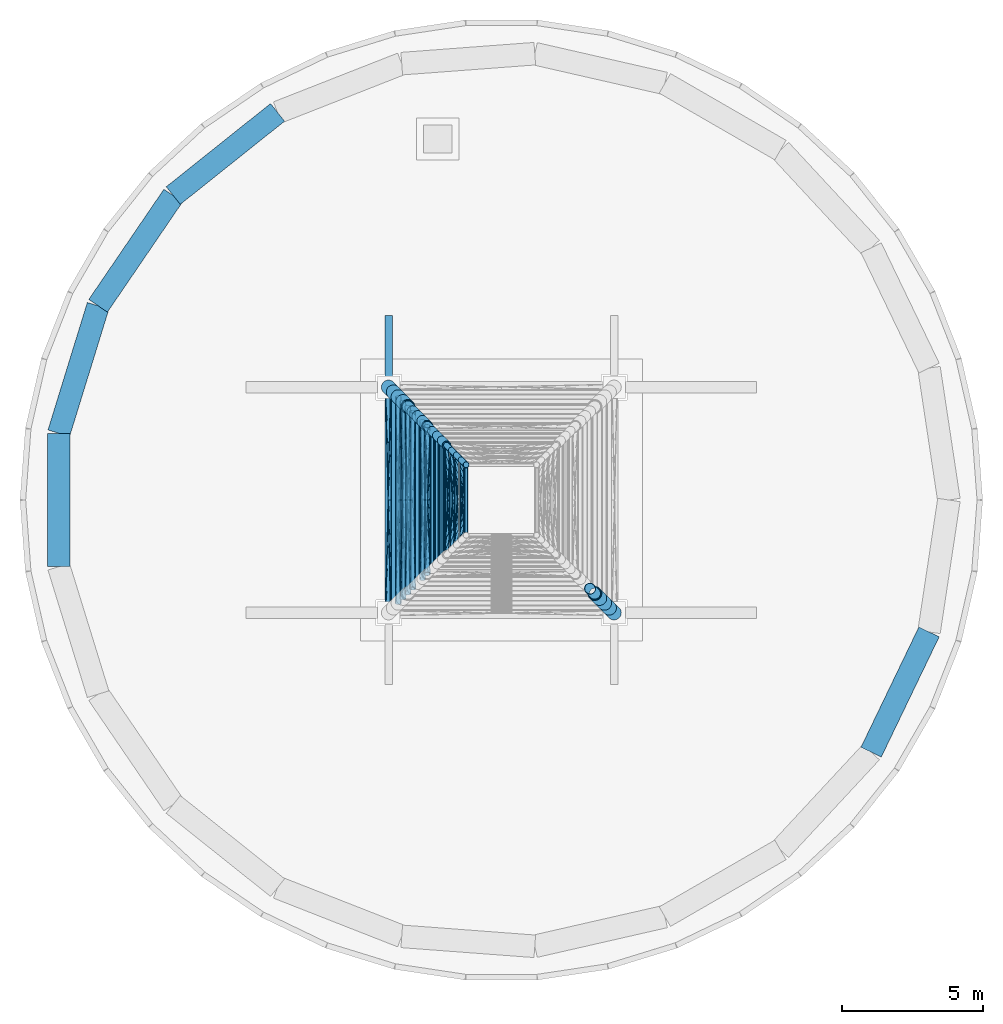
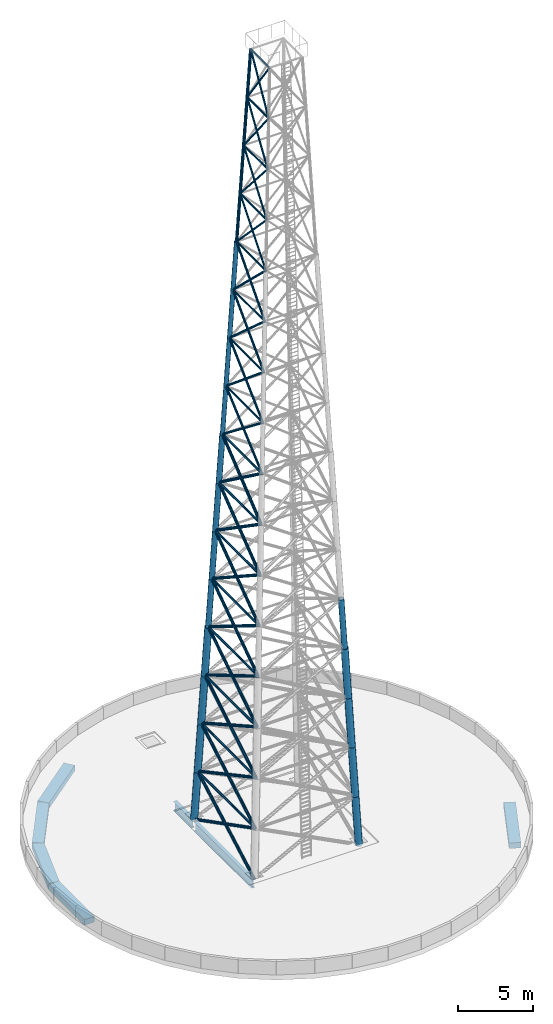
# One storey, part 4 of 9: 69 members, 7 beams.
"""IFC4 building model written with IfcOpenShell, lengths in metres."""

from ifc_helpers import new_model, si_unit, direction, frame, origin, origin_2d, place, context, subcontext, project, spatial, rectangle, hollow_circle, i_section, extrude, material, material_profile, profile_set, type_object, element, save


model = new_model("IFC4")

# Units and contexts
model_context = context("Model", 3, precision=1e-05, world=origin(), true_north=direction((0.0, 1.0)))
body_context = subcontext(model_context, "Body", "Model", "MODEL_VIEW")
ifc_project = project(units=[si_unit("LENGTHUNIT", "METRE"), si_unit("AREAUNIT", "SQUARE_METRE"), si_unit("VOLUMEUNIT", "CUBIC_METRE"), si_unit("PLANEANGLEUNIT", "RADIAN"), si_unit("MASSUNIT", "GRAM", prefix="KILO")], contexts=[model_context])

# Site, building, storey
site_placement = place(None, origin())
site = spatial("IfcSite", under=ifc_project, at=site_placement, CompositionType="ELEMENT")
building_placement = place(site_placement, origin())
building = spatial("IfcBuilding", under=site, at=building_placement, Name="Tracery Tower", CompositionType="ELEMENT")
storey_placement = place(building_placement, frame((0.0, 0.0, 364.199951171875)))
storey = spatial("IfcBuildingStorey", under=building, at=storey_placement, Name="Roof", CompositionType="ELEMENT", Elevation=364.199951171875)

# Members
ifc_material_1 = material(Name="Steel S355", Category="steel")
ifc_material_profile_1 = material_profile(ifc_material_1, hollow_circle(Radius=0.06982421875, WallThickness=0.00634765625, at=origin_2d()), Name="CHS 139.7x6.3")
ifc_profile_set_1 = profile_set([ifc_material_profile_1], Name="Steel S355")
member_type_1 = type_object("IfcMemberType", Name="Mast diagonal MAST CHS 139.7x6.3", PredefinedType="BRACE", material=ifc_profile_set_1)
for number, where, z_axis, x_axis, name in (
    (1, (-1.9375, 1.9375, 46.990234375), (0.031750234141, -0.684073226485, 0.728721993245), (0.998924630531, 0.046363590447, 0.0), "Mast west face diagonal 13a"),
    (2, (-1.9375, -1.9375, 46.990234375), (0.031750234141, 0.684073226485, 0.728721993245), (-0.998924630531, 0.046363590447, 0.0), "Mast west face diagonal 13b"),
):
    element("IfcMember", number, at=place(storey_placement, frame(where, z_axis=z_axis, x_axis=x_axis)), inside=storey, type_object=member_type_1, Name=name, PredefinedType="BRACE", context=body_context, shape_type="SweptSolid", body=[
        extrude(hollow_circle(Radius=0.06982421875, WallThickness=0.00634765625, at=origin_2d()), origin(), (0.0, 0.0, 1.0), 5.413330078125),
    ])
for number, where, z_axis, x_axis, name in (
    (3, (-1.765625, 1.765625, 50.93505859375), (0.033152031801, -0.647971530659, 0.760942729936), (0.998693748329, 0.051095959217, 0.0), "Mast west face diagonal 14a"),
    (4, (-1.765625, -1.765625, 50.93505859375), (0.033152031801, 0.647971530659, 0.760942729936), (-0.998693748329, 0.051095959217, 0.0), "Mast west face diagonal 14b"),
):
    element("IfcMember", number, at=place(storey_placement, frame(where, z_axis=z_axis, x_axis=x_axis)), inside=storey, type_object=member_type_1, Name=name, PredefinedType="BRACE", context=body_context, shape_type="SweptSolid", body=[
        extrude(hollow_circle(Radius=0.06982421875, WallThickness=0.00634765625, at=origin_2d()), origin(), (0.0, 0.0, 1.0), 5.1845703125),
    ])
for number, where, z_axis, x_axis, name in (
    (5, (-1.59375, 1.59375, 54.880126953125), (0.034592159703, -0.606935165704, 0.79399816569), (0.998379741703, 0.056902472325, 0.0), "Mast west face diagonal 15a"),
    (6, (-1.59375, -1.59375, 54.880126953125), (0.034592159703, 0.606935165704, 0.79399816569), (-0.998379741703, 0.056902472325, 0.0), "Mast west face diagonal 15b"),
):
    element("IfcMember", number, at=place(storey_placement, frame(where, z_axis=z_axis, x_axis=x_axis)), inside=storey, type_object=member_type_1, Name=name, PredefinedType="BRACE", context=body_context, shape_type="SweptSolid", body=[
        extrude(hollow_circle(Radius=0.06982421875, WallThickness=0.00634765625, at=origin_2d()), origin(), (0.0, 0.0, 1.0), 4.968505859375),
    ])
for number, where, z_axis, x_axis, name in (
    (7, (-1.421875, 1.421875, 58.8251953125), (0.036049038288, -0.560398686106, 0.827438081943), (0.99793738647, 0.064194802638, 0.0), "Mast west face diagonal 16a"),
    (8, (-1.421875, -1.421875, 58.8251953125), (0.036049038288, 0.560398686106, 0.827438081943), (-0.99793738647, 0.064194802638, 0.0), "Mast west face diagonal 16b"),
):
    element("IfcMember", number, at=place(storey_placement, frame(where, z_axis=z_axis, x_axis=x_axis)), inside=storey, type_object=member_type_1, Name=name, PredefinedType="BRACE", context=body_context, shape_type="SweptSolid", body=[
        extrude(hollow_circle(Radius=0.06982421875, WallThickness=0.00634765625, at=origin_2d()), origin(), (0.0, 0.0, 1.0), 4.767822265625),
    ])
ifc_material_2 = material(Name="Steel S355", Category="steel")
ifc_material_profile_2 = material_profile(ifc_material_2, hollow_circle(Radius=0.084228515625, WallThickness=0.008056640625, at=origin_2d()), Name="CHS 168.3x8")
ifc_profile_set_2 = profile_set([ifc_material_profile_2], Name="Steel S355")
member_type_2 = type_object("IfcMemberType", Name="Mast diagonal MAST CHS 168.3x8", PredefinedType="BRACE", material=ifc_profile_set_2)
for number, where, z_axis, x_axis, name in (
    (9, (-2.625, 2.625, 31.210205078125), (0.026719305666, -0.789434031046, 0.61325360931), (0.999427710583, 0.03382678405, 0.0), "Mast west face diagonal 9a"),
    (10, (-2.625, -2.625, 31.210205078125), (0.026719305666, 0.789434031046, 0.61325360931), (-0.999427710583, 0.03382678405, 0.0), "Mast west face diagonal 9b"),
):
    element("IfcMember", number, at=place(storey_placement, frame(where, z_axis=z_axis, x_axis=x_axis)), inside=storey, type_object=member_type_2, Name=name, PredefinedType="BRACE", context=body_context, shape_type="SweptSolid", body=[
        extrude(hollow_circle(Radius=0.084228515625, WallThickness=0.008056640625, at=origin_2d()), origin(), (0.0, 0.0, 1.0), 6.4326171875),
    ])
for number, where, z_axis, x_axis, name in (
    (11, (-2.453125, 2.453125, 35.155029296875), (0.027879087939, -0.767942149583, 0.639912190342), (0.999341673872, 0.036279730735, 0.0), "Mast west face diagonal 10a"),
    (12, (-2.453125, -2.453125, 35.155029296875), (0.027879087939, 0.767942149583, 0.639912190342), (-0.999341673872, 0.036279730735, 0.0), "Mast west face diagonal 10b"),
):
    element("IfcMember", number, at=place(storey_placement, frame(where, z_axis=z_axis, x_axis=x_axis)), inside=storey, type_object=member_type_2, Name=name, PredefinedType="BRACE", context=body_context, shape_type="SweptSolid", body=[
        extrude(hollow_circle(Radius=0.084228515625, WallThickness=0.008056640625, at=origin_2d()), origin(), (0.0, 0.0, 1.0), 6.1650390625),
    ])
for number, where, z_axis, x_axis, name in (
    (13, (-2.28125, 2.28125, 39.10009765625), (0.029105992984, -0.743525820778, 0.668073495215), (0.999234678437, 0.039115948266, 0.0), "Mast west face diagonal 11a"),
    (14, (-2.28125, -2.28125, 39.10009765625), (0.029105992984, 0.743525820778, 0.668073495215), (-0.999234678437, 0.039115948266, 0.0), "Mast west face diagonal 11b"),
):
    element("IfcMember", number, at=place(storey_placement, frame(where, z_axis=z_axis, x_axis=x_axis)), inside=storey, type_object=member_type_2, Name=name, PredefinedType="BRACE", context=body_context, shape_type="SweptSolid", body=[
        extrude(hollow_circle(Radius=0.084228515625, WallThickness=0.008056640625, at=origin_2d()), origin(), (0.0, 0.0, 1.0), 5.905029296875),
    ])
for number, where, z_axis, x_axis, name in (
    (15, (-2.109375, 2.109375, 43.045166015625), (0.030397602911, -0.715725377637, 0.697719979321), (0.999099323566, 0.042432789804, 0.0), "Mast west face diagonal 12a"),
    (16, (-2.109375, -2.109375, 43.045166015625), (0.030397602911, 0.715725377637, 0.697719979321), (-0.999099323566, 0.042432789804, 0.0), "Mast west face diagonal 12b"),
):
    element("IfcMember", number, at=place(storey_placement, frame(where, z_axis=z_axis, x_axis=x_axis)), inside=storey, type_object=member_type_2, Name=name, PredefinedType="BRACE", context=body_context, shape_type="SweptSolid", body=[
        extrude(hollow_circle(Radius=0.084228515625, WallThickness=0.008056640625, at=origin_2d()), origin(), (0.0, 0.0, 1.0), 5.654296875),
    ])
ifc_material_3 = material(Name="Steel S355", Category="steel")
ifc_material_profile_3 = material_profile(ifc_material_3, hollow_circle(Radius=0.109619140625, WallThickness=0.010009765625, at=origin_2d()), Name="CHS 219.1x10")
ifc_profile_set_3 = profile_set([ifc_material_profile_3], Name="Steel S355")
member_type_3 = type_object("IfcMemberType", Name="Mast diagonal MAST CHS 219.1x10", PredefinedType="BRACE", material=ifc_profile_set_3)
for number, where, z_axis, x_axis, name in (
    (17, (-4.0, 4.0, -0.349853515625), (0.019603437678, -0.892847479676, 0.44993230965), (0.999759052215, 0.021950797554, 0.0), "Mast west face diagonal 1a"),
    (18, (-4.0, -4.0, -0.349853515625), (0.019603437678, 0.892847479676, 0.44993230965), (-0.999759052215, 0.021950797554, 0.0), "Mast west face diagonal 1b"),
):
    element("IfcMember", number, at=place(storey_placement, frame(where, z_axis=z_axis, x_axis=x_axis)), inside=storey, type_object=member_type_3, Name=name, PredefinedType="BRACE", context=body_context, shape_type="SweptSolid", body=[
        extrude(hollow_circle(Radius=0.109619140625, WallThickness=0.010009765625, at=origin_2d()), origin(), (0.0, 0.0, 1.0), 8.767578125),
    ])
for number, where, z_axis, x_axis, name in (
    (19, (-3.828125, 3.828125, 3.594970703125), (0.020310891396, -0.884446998079, 0.466198429083), (0.999736419902, 0.022958456407, 0.0), "Mast west face diagonal 2a"),
    (20, (-3.828125, -3.828125, 3.594970703125), (0.020310891396, 0.884446998079, 0.466198429083), (-0.999736419902, 0.022958456407, 0.0), "Mast west face diagonal 2b"),
):
    element("IfcMember", number, at=place(storey_placement, frame(where, z_axis=z_axis, x_axis=x_axis)), inside=storey, type_object=member_type_3, Name=name, PredefinedType="BRACE", context=body_context, shape_type="SweptSolid", body=[
        extrude(hollow_circle(Radius=0.109619140625, WallThickness=0.010009765625, at=origin_2d()), origin(), (0.0, 0.0, 1.0), 8.462158203125),
    ])
for number, where, z_axis, x_axis, name in (
    (21, (-3.65625, 3.65625, 7.5400390625), (0.02106374057, -0.875102676395, 0.483478670263), (0.999710442837, 0.024063052235, 0.0), "Mast west face diagonal 3a"),
    (22, (-3.65625, -3.65625, 7.5400390625), (0.02106374057, 0.875102676395, 0.483478670263), (-0.999710442837, 0.024063052235, 0.0), "Mast west face diagonal 3b"),
):
    element("IfcMember", number, at=place(storey_placement, frame(where, z_axis=z_axis, x_axis=x_axis)), inside=storey, type_object=member_type_3, Name=name, PredefinedType="BRACE", context=body_context, shape_type="SweptSolid", body=[
        extrude(hollow_circle(Radius=0.109619140625, WallThickness=0.010009765625, at=origin_2d()), origin(), (0.0, 0.0, 1.0), 8.15966796875),
    ])
for number, where, z_axis, x_axis, name in (
    (23, (-3.484375, 3.484375, 11.485107421875), (0.021865440004, -0.864678763798, 0.50184911873), (0.99968042806, 0.025279275192, 0.0), "Mast west face diagonal 4a"),
    (24, (-3.484375, -3.484375, 11.485107421875), (0.021865440004, 0.864678763798, 0.50184911873), (-0.99968042806, 0.025279275192, 0.0), "Mast west face diagonal 4b"),
):
    element("IfcMember", number, at=place(storey_placement, frame(where, z_axis=z_axis, x_axis=x_axis)), inside=storey, type_object=member_type_3, Name=name, PredefinedType="BRACE", context=body_context, shape_type="SweptSolid", body=[
        extrude(hollow_circle(Radius=0.109619140625, WallThickness=0.010009765625, at=origin_2d()), origin(), (0.0, 0.0, 1.0), 7.860595703125),
    ])
for number, where, z_axis, x_axis, name in (
    (25, (-3.3125, 3.3125, 15.429931640625), (0.022718431719, -0.85297384544, 0.521459003044), (0.999645493434, 0.026624940503, 0.0), "Mast west face diagonal 5a"),
    (26, (-3.3125, -3.3125, 15.429931640625), (0.022718431719, 0.85297384544, 0.521459003044), (-0.999645493434, 0.026624940503, 0.0), "Mast west face diagonal 5b"),
):
    element("IfcMember", number, at=place(storey_placement, frame(where, z_axis=z_axis, x_axis=x_axis)), inside=storey, type_object=member_type_3, Name=name, PredefinedType="BRACE", context=body_context, shape_type="SweptSolid", body=[
        extrude(hollow_circle(Radius=0.109619140625, WallThickness=0.010009765625, at=origin_2d()), origin(), (0.0, 0.0, 1.0), 7.5654296875),
    ])
for number, where, z_axis, x_axis, name in (
    (27, (-3.140625, 3.140625, 19.375), (0.023627227978, -0.839840558134, 0.542318717187), (0.999604502123, 0.028121865789, 0.0), "Mast west face diagonal 6a"),
    (28, (-3.140625, -3.140625, 19.375), (0.023627227978, 0.839840558134, 0.542318717187), (-0.999604502123, 0.028121865789, 0.0), "Mast west face diagonal 6b"),
):
    element("IfcMember", number, at=place(storey_placement, frame(where, z_axis=z_axis, x_axis=x_axis)), inside=storey, type_object=member_type_3, Name=name, PredefinedType="BRACE", context=body_context, shape_type="SweptSolid", body=[
        extrude(hollow_circle(Radius=0.109619140625, WallThickness=0.010009765625, at=origin_2d()), origin(), (0.0, 0.0, 1.0), 7.2744140625),
    ])
for number, where, z_axis, x_axis, name in (
    (29, (-2.96875, 2.96875, 23.320068359375), (0.024594881095, -0.825046465832, 0.56452938014), (0.999555968984, 0.029797061406, 0.0), "Mast west face diagonal 7a"),
    (30, (-2.96875, -2.96875, 23.320068359375), (0.024594881095, 0.825046465832, 0.56452938014), (-0.999555968984, 0.029797061406, 0.0), "Mast west face diagonal 7b"),
):
    element("IfcMember", number, at=place(storey_placement, frame(where, z_axis=z_axis, x_axis=x_axis)), inside=storey, type_object=member_type_3, Name=name, PredefinedType="BRACE", context=body_context, shape_type="SweptSolid", body=[
        extrude(hollow_circle(Radius=0.109619140625, WallThickness=0.010009765625, at=origin_2d()), origin(), (0.0, 0.0, 1.0), 6.98828125),
    ])
for number, where, z_axis, x_axis, name in (
    (31, (-2.796875, 2.796875, 27.26513671875), (0.025624506867, -0.808336716623, 0.588162509182), (0.999497924238, 0.031684372238, 0.0), "Mast west face diagonal 8a"),
    (32, (-2.796875, -2.796875, 27.26513671875), (0.025624506867, 0.808336716623, 0.588162509182), (-0.999497924238, 0.031684372238, 0.0), "Mast west face diagonal 8b"),
):
    element("IfcMember", number, at=place(storey_placement, frame(where, z_axis=z_axis, x_axis=x_axis)), inside=storey, type_object=member_type_3, Name=name, PredefinedType="BRACE", context=body_context, shape_type="SweptSolid", body=[
        extrude(hollow_circle(Radius=0.109619140625, WallThickness=0.010009765625, at=origin_2d()), origin(), (0.0, 0.0, 1.0), 6.70751953125),
    ])

# Beams
ifc_material_4 = material(Name="Steel S355", Category="steel")
ifc_material_profile_4 = material_profile(ifc_material_4, i_section(OverallWidth=0.26513671875, OverallDepth=0.75390625, WebThickness=0.0126953125, FlangeThickness=0.017578125, FilletRadius=0.0166015625, at=origin_2d()), Name="UKB 762x267x147")
ifc_profile_set_4 = profile_set([ifc_material_profile_4], Name="Steel S355")
beam_type_1 = type_object("IfcBeamType", Name="Mast grillage cross girder MAST UKB 762x267x147", PredefinedType="BEAM", material=ifc_profile_set_4)
beam_1_placement = place(storey_placement, frame((-4.0, -3.839599609375, -0.77685546875), z_axis=(0.0, 1.0, 0.0), x_axis=(-1.0, 0.0, 0.0)))
element("IfcBeam", 33, at=beam_1_placement, inside=storey, type_object=beam_type_1, Name="Mast grillage cross girder 1.2", PredefinedType="BEAM", context=body_context, shape_type="SweptSolid", body=[
    extrude(i_section(OverallWidth=0.26513671875, OverallDepth=0.75390625, WebThickness=0.0126953125, FlangeThickness=0.017578125, FilletRadius=0.0166015625, at=origin_2d()), origin(), (0.0, 0.0, 1.0), 7.67919921875),
])
beam_2_placement = place(storey_placement, frame((-4.0, 4.160400390625, -0.77685546875), z_axis=(0.0, 1.0, 0.0), x_axis=(-1.0, 0.0, 0.0)))
element("IfcBeam", 34, at=beam_2_placement, inside=storey, type_object=beam_type_1, Name="Mast grillage cross girder 1.3", PredefinedType="BEAM", context=body_context, shape_type="SweptSolid", body=[
    extrude(i_section(OverallWidth=0.26513671875, OverallDepth=0.75390625, WebThickness=0.0126953125, FlangeThickness=0.017578125, FilletRadius=0.0166015625, at=origin_2d()), origin(), (0.0, 0.0, 1.0), 2.3896484375),
])

# Members
ifc_material_5 = material(Name="Steel S355", Category="steel")
ifc_material_profile_5 = material_profile(ifc_material_5, hollow_circle(Radius=0.109619140625, WallThickness=0.010009765625, at=origin_2d()), Name="CHS 219.1x10")
ifc_profile_set_5 = profile_set([ifc_material_profile_5], Name="Steel S355")
member_type_4 = type_object("IfcMemberType", Name="Mast leg MAST CHS 219.1x10", PredefinedType="CHORD", material=ifc_profile_set_5)
member_1_placement = place(storey_placement, frame((-1.9375, 1.9375, 46.990234375), z_axis=(0.043487274046, -0.043487274046, 0.998107065395), x_axis=(0.707106781187, 0.707106781187, 0.0)))
element("IfcMember", 35, at=member_1_placement, inside=storey, type_object=member_type_4, Name="Mast leg 4 panel 13", PredefinedType="CHORD", context=body_context, shape_type="SweptSolid", body=[
    extrude(hollow_circle(Radius=0.109619140625, WallThickness=0.010009765625, at=origin_2d()), origin(), (0.0, 0.0, 1.0), 3.952392578125),
])
for number, where, z_axis, x_axis, name in (
    (36, (-1.765625, 1.765625, 50.93505859375), (0.043484593013, -0.043484593013, 0.998107299012), (0.707106781187, 0.707106781187, 0.0), "Mast leg 4 panel 14"),
    (37, (-1.59375, 1.59375, 54.880126953125), (0.043484593013, -0.043484593013, 0.998107299012), (0.707106781187, 0.707106781187, 0.0), "Mast leg 4 panel 15"),
    (38, (-1.421875, 1.421875, 58.8251953125), (0.043484593013, -0.043484593013, 0.998107299012), (0.707106781187, 0.707106781187, 0.0), "Mast leg 4 panel 16"),
):
    element("IfcMember", number, at=place(storey_placement, frame(where, z_axis=z_axis, x_axis=x_axis)), inside=storey, type_object=member_type_4, Name=name, PredefinedType="CHORD", context=body_context, shape_type="SweptSolid", body=[
        extrude(hollow_circle(Radius=0.109619140625, WallThickness=0.010009765625, at=origin_2d()), origin(), (0.0, 0.0, 1.0), 3.95263671875),
    ])
ifc_material_6 = material(Name="Steel S355", Category="steel")
ifc_material_profile_6 = material_profile(ifc_material_6, hollow_circle(Radius=0.161865234375, WallThickness=0.01611328125, at=origin_2d()), Name="CHS 323.9x16")
ifc_profile_set_6 = profile_set([ifc_material_profile_6], Name="Steel S355")
member_type_5 = type_object("IfcMemberType", Name="Mast leg MAST CHS 323.9x16", PredefinedType="CHORD", material=ifc_profile_set_6)
member_2_placement = place(storey_placement, frame((-2.625, 2.625, 31.210205078125), z_axis=(0.043487274046, -0.043487274046, 0.998107065395), x_axis=(0.707106781187, 0.707106781187, 0.0)))
element("IfcMember", 39, at=member_2_placement, inside=storey, type_object=member_type_5, Name="Mast leg 4 panel 9", PredefinedType="CHORD", context=body_context, shape_type="SweptSolid", body=[
    extrude(hollow_circle(Radius=0.161865234375, WallThickness=0.01611328125, at=origin_2d()), origin(), (0.0, 0.0, 1.0), 3.952392578125),
])
for number, where, z_axis, x_axis, name in (
    (40, (-2.453125, 2.453125, 35.155029296875), (0.043484593013, -0.043484593013, 0.998107299012), (0.707106781187, 0.707106781187, 0.0), "Mast leg 4 panel 10"),
    (41, (-2.28125, 2.28125, 39.10009765625), (0.043484593013, -0.043484593013, 0.998107299012), (0.707106781187, 0.707106781187, 0.0), "Mast leg 4 panel 11"),
    (42, (-2.109375, 2.109375, 43.045166015625), (0.043484593013, -0.043484593013, 0.998107299012), (0.707106781187, 0.707106781187, 0.0), "Mast leg 4 panel 12"),
):
    element("IfcMember", number, at=place(storey_placement, frame(where, z_axis=z_axis, x_axis=x_axis)), inside=storey, type_object=member_type_5, Name=name, PredefinedType="CHORD", context=body_context, shape_type="SweptSolid", body=[
        extrude(hollow_circle(Radius=0.161865234375, WallThickness=0.01611328125, at=origin_2d()), origin(), (0.0, 0.0, 1.0), 3.95263671875),
    ])
ifc_material_7 = material(Name="Steel S355", Category="steel")
ifc_material_profile_7 = material_profile(ifc_material_7, hollow_circle(Radius=0.203125, WallThickness=0.02001953125, at=origin_2d()), Name="CHS 406.4x20")
ifc_profile_set_7 = profile_set([ifc_material_profile_7], Name="Steel S355")
member_type_6 = type_object("IfcMemberType", Name="Mast leg MAST CHS 406.4x20", PredefinedType="CHORD", material=ifc_profile_set_7)
for number, where, z_axis, x_axis, name in (
    (43, (3.3125, -3.3125, 15.429931640625), (-0.043484593013, 0.043484593013, 0.998107299012), (-0.707106781187, -0.707106781187, 0.0), "Mast leg 2 panel 5"),
    (44, (-3.3125, 3.3125, 15.429931640625), (0.043484593013, -0.043484593013, 0.998107299012), (0.707106781187, 0.707106781187, 0.0), "Mast leg 4 panel 5"),
    (45, (-3.140625, 3.140625, 19.375), (0.043484593013, -0.043484593013, 0.998107299012), (0.707106781187, 0.707106781187, 0.0), "Mast leg 4 panel 6"),
    (46, (-2.96875, 2.96875, 23.320068359375), (0.043484593013, -0.043484593013, 0.998107299012), (0.707106781187, 0.707106781187, 0.0), "Mast leg 4 panel 7"),
    (47, (-2.796875, 2.796875, 27.26513671875), (0.043484593013, -0.043484593013, 0.998107299012), (0.707106781187, 0.707106781187, 0.0), "Mast leg 4 panel 8"),
):
    element("IfcMember", number, at=place(storey_placement, frame(where, z_axis=z_axis, x_axis=x_axis)), inside=storey, type_object=member_type_6, Name=name, PredefinedType="CHORD", context=body_context, shape_type="SweptSolid", body=[
        extrude(hollow_circle(Radius=0.203125, WallThickness=0.02001953125, at=origin_2d()), origin(), (0.0, 0.0, 1.0), 3.95263671875),
    ])
ifc_material_8 = material(Name="Steel S355", Category="steel")
ifc_material_profile_8 = material_profile(ifc_material_8, hollow_circle(Radius=0.25390625, WallThickness=0.02490234375, at=origin_2d()), Name="CHS 508x25")
ifc_profile_set_8 = profile_set([ifc_material_profile_8], Name="Steel S355")
member_type_7 = type_object("IfcMemberType", Name="Mast leg MAST CHS 508x25", PredefinedType="CHORD", material=ifc_profile_set_8)
for number, where, z_axis, x_axis, name in (
    (48, (4.0, -4.0, -0.349853515625), (-0.043487274046, 0.043487274046, 0.998107065395), (-0.707106781187, -0.707106781187, 0.0), "Mast leg 2 panel 1"),
    (49, (-4.0, 4.0, -0.349853515625), (0.043487274046, -0.043487274046, 0.998107065395), (0.707106781187, 0.707106781187, 0.0), "Mast leg 4 panel 1"),
):
    element("IfcMember", number, at=place(storey_placement, frame(where, z_axis=z_axis, x_axis=x_axis)), inside=storey, type_object=member_type_7, Name=name, PredefinedType="CHORD", context=body_context, shape_type="SweptSolid", body=[
        extrude(hollow_circle(Radius=0.25390625, WallThickness=0.02490234375, at=origin_2d()), origin(), (0.0, 0.0, 1.0), 3.952392578125),
    ])
for number, where, z_axis, x_axis, name in (
    (50, (3.828125, -3.828125, 3.594970703125), (-0.043484593013, 0.043484593013, 0.998107299012), (-0.707106781187, -0.707106781187, 0.0), "Mast leg 2 panel 2"),
    (51, (-3.828125, 3.828125, 3.594970703125), (0.043484593013, -0.043484593013, 0.998107299012), (0.707106781187, 0.707106781187, 0.0), "Mast leg 4 panel 2"),
    (52, (3.65625, -3.65625, 7.5400390625), (-0.043484593013, 0.043484593013, 0.998107299012), (-0.707106781187, -0.707106781187, 0.0), "Mast leg 2 panel 3"),
    (53, (-3.65625, 3.65625, 7.5400390625), (0.043484593013, -0.043484593013, 0.998107299012), (0.707106781187, 0.707106781187, 0.0), "Mast leg 4 panel 3"),
):
    element("IfcMember", number, at=place(storey_placement, frame(where, z_axis=z_axis, x_axis=x_axis)), inside=storey, type_object=member_type_7, Name=name, PredefinedType="CHORD", context=body_context, shape_type="SweptSolid", body=[
        extrude(hollow_circle(Radius=0.25390625, WallThickness=0.02490234375, at=origin_2d()), origin(), (0.0, 0.0, 1.0), 3.95263671875),
    ])
for number, where, z_axis, x_axis, name in (
    (54, (3.484375, -3.484375, 11.485107421875), (-0.043487274046, 0.043487274046, 0.998107065395), (-0.707106781187, -0.707106781187, 0.0), "Mast leg 2 panel 4"),
    (55, (-3.484375, 3.484375, 11.485107421875), (0.043487274046, -0.043487274046, 0.998107065395), (0.707106781187, 0.707106781187, 0.0), "Mast leg 4 panel 4"),
):
    element("IfcMember", number, at=place(storey_placement, frame(where, z_axis=z_axis, x_axis=x_axis)), inside=storey, type_object=member_type_7, Name=name, PredefinedType="CHORD", context=body_context, shape_type="SweptSolid", body=[
        extrude(hollow_circle(Radius=0.25390625, WallThickness=0.02490234375, at=origin_2d()), origin(), (0.0, 0.0, 1.0), 3.952392578125),
    ])
ifc_material_9 = material(Name="Steel S355", Category="steel")
ifc_material_profile_9 = material_profile(ifc_material_9, hollow_circle(Radius=0.06982421875, WallThickness=0.00634765625, at=origin_2d()), Name="CHS 139.7x6.3")
ifc_profile_set_9 = profile_set([ifc_material_profile_9], Name="Steel S355")
member_type_8 = type_object("IfcMemberType", Name="Mast strut MAST CHS 139.7x6.3", PredefinedType="STRUT", material=ifc_profile_set_9)
member_3_placement = place(storey_placement, frame((-2.453125, 2.453125, 35.155029296875), z_axis=(0.0, -1.0, 0.0), x_axis=(1.0, 0.0, 0.0)))
element("IfcMember", 56, at=member_3_placement, inside=storey, type_object=member_type_8, Name="Mast west face strut 9", PredefinedType="STRUT", context=body_context, shape_type="SweptSolid", body=[
    extrude(hollow_circle(Radius=0.06982421875, WallThickness=0.00634765625, at=origin_2d()), origin(), (0.0, 0.0, 1.0), 4.90625),
])
member_4_placement = place(storey_placement, frame((-2.28125, 2.28125, 39.10009765625), z_axis=(0.0, -1.0, 0.0), x_axis=(1.0, 0.0, 0.0)))
element("IfcMember", 57, at=member_4_placement, inside=storey, type_object=member_type_8, Name="Mast west face strut 10", PredefinedType="STRUT", context=body_context, shape_type="SweptSolid", body=[
    extrude(hollow_circle(Radius=0.06982421875, WallThickness=0.00634765625, at=origin_2d()), origin(), (0.0, 0.0, 1.0), 4.5625),
])
member_5_placement = place(storey_placement, frame((-2.109375, 2.109375, 43.045166015625), z_axis=(0.0, -1.0, 0.0), x_axis=(1.0, 0.0, 0.0)))
element("IfcMember", 58, at=member_5_placement, inside=storey, type_object=member_type_8, Name="Mast west face strut 11", PredefinedType="STRUT", context=body_context, shape_type="SweptSolid", body=[
    extrude(hollow_circle(Radius=0.06982421875, WallThickness=0.00634765625, at=origin_2d()), origin(), (0.0, 0.0, 1.0), 4.21875),
])
member_6_placement = place(storey_placement, frame((-1.9375, 1.9375, 46.990234375), z_axis=(0.0, -1.0, 0.0), x_axis=(1.0, 0.0, 0.0)))
element("IfcMember", 59, at=member_6_placement, inside=storey, type_object=member_type_8, Name="Mast west face strut 12", PredefinedType="STRUT", context=body_context, shape_type="SweptSolid", body=[
    extrude(hollow_circle(Radius=0.06982421875, WallThickness=0.00634765625, at=origin_2d()), origin(), (0.0, 0.0, 1.0), 3.875),
])
member_7_placement = place(storey_placement, frame((-1.765625, 1.765625, 50.93505859375), z_axis=(0.0, -1.0, 0.0), x_axis=(1.0, 0.0, 0.0)))
element("IfcMember", 60, at=member_7_placement, inside=storey, type_object=member_type_8, Name="Mast west face strut 13", PredefinedType="STRUT", context=body_context, shape_type="SweptSolid", body=[
    extrude(hollow_circle(Radius=0.06982421875, WallThickness=0.00634765625, at=origin_2d()), origin(), (0.0, 0.0, 1.0), 3.53125),
])
member_8_placement = place(storey_placement, frame((-1.59375, 1.59375, 54.880126953125), z_axis=(0.0, -1.0, 0.0), x_axis=(1.0, 0.0, 0.0)))
element("IfcMember", 61, at=member_8_placement, inside=storey, type_object=member_type_8, Name="Mast west face strut 14", PredefinedType="STRUT", context=body_context, shape_type="SweptSolid", body=[
    extrude(hollow_circle(Radius=0.06982421875, WallThickness=0.00634765625, at=origin_2d()), origin(), (0.0, 0.0, 1.0), 3.1875),
])
member_9_placement = place(storey_placement, frame((-1.421875, 1.421875, 58.8251953125), z_axis=(0.0, -1.0, 0.0), x_axis=(1.0, 0.0, 0.0)))
element("IfcMember", 62, at=member_9_placement, inside=storey, type_object=member_type_8, Name="Mast west face strut 15", PredefinedType="STRUT", context=body_context, shape_type="SweptSolid", body=[
    extrude(hollow_circle(Radius=0.06982421875, WallThickness=0.00634765625, at=origin_2d()), origin(), (0.0, 0.0, 1.0), 2.84375),
])
member_10_placement = place(storey_placement, frame((-1.25, 1.25, 62.770263671875), z_axis=(0.0, -1.0, 0.0), x_axis=(1.0, 0.0, 0.0)))
element("IfcMember", 63, at=member_10_placement, inside=storey, type_object=member_type_8, Name="Mast west face strut 16", PredefinedType="STRUT", context=body_context, shape_type="SweptSolid", body=[
    extrude(hollow_circle(Radius=0.06982421875, WallThickness=0.00634765625, at=origin_2d()), origin(), (0.0, 0.0, 1.0), 2.5),
])
ifc_material_10 = material(Name="Steel S355", Category="steel")
ifc_material_profile_10 = material_profile(ifc_material_10, hollow_circle(Radius=0.084228515625, WallThickness=0.008056640625, at=origin_2d()), Name="CHS 168.3x8")
ifc_profile_set_10 = profile_set([ifc_material_profile_10], Name="Steel S355")
member_type_9 = type_object("IfcMemberType", Name="Mast strut MAST CHS 168.3x8", PredefinedType="STRUT", material=ifc_profile_set_10)
member_11_placement = place(storey_placement, frame((-3.828125, 3.828125, 3.594970703125), z_axis=(0.0, -1.0, 0.0), x_axis=(1.0, 0.0, 0.0)))
element("IfcMember", 64, at=member_11_placement, inside=storey, type_object=member_type_9, Name="Mast west face strut 1", PredefinedType="STRUT", context=body_context, shape_type="SweptSolid", body=[
    extrude(hollow_circle(Radius=0.084228515625, WallThickness=0.008056640625, at=origin_2d()), origin(), (0.0, 0.0, 1.0), 7.65625),
])
member_12_placement = place(storey_placement, frame((-3.65625, 3.65625, 7.5400390625), z_axis=(0.0, -1.0, 0.0), x_axis=(1.0, 0.0, 0.0)))
element("IfcMember", 65, at=member_12_placement, inside=storey, type_object=member_type_9, Name="Mast west face strut 2", PredefinedType="STRUT", context=body_context, shape_type="SweptSolid", body=[
    extrude(hollow_circle(Radius=0.084228515625, WallThickness=0.008056640625, at=origin_2d()), origin(), (0.0, 0.0, 1.0), 7.3125),
])
member_13_placement = place(storey_placement, frame((-3.484375, 3.484375, 11.485107421875), z_axis=(0.0, -1.0, 0.0), x_axis=(1.0, 0.0, 0.0)))
element("IfcMember", 66, at=member_13_placement, inside=storey, type_object=member_type_9, Name="Mast west face strut 3", PredefinedType="STRUT", context=body_context, shape_type="SweptSolid", body=[
    extrude(hollow_circle(Radius=0.084228515625, WallThickness=0.008056640625, at=origin_2d()), origin(), (0.0, 0.0, 1.0), 6.96875),
])
member_14_placement = place(storey_placement, frame((-3.3125, 3.3125, 15.429931640625), z_axis=(0.0, -1.0, 0.0), x_axis=(1.0, 0.0, 0.0)))
element("IfcMember", 67, at=member_14_placement, inside=storey, type_object=member_type_9, Name="Mast west face strut 4", PredefinedType="STRUT", context=body_context, shape_type="SweptSolid", body=[
    extrude(hollow_circle(Radius=0.084228515625, WallThickness=0.008056640625, at=origin_2d()), origin(), (0.0, 0.0, 1.0), 6.625),
])
member_15_placement = place(storey_placement, frame((-3.140625, 3.140625, 19.375), z_axis=(0.0, -1.0, 0.0), x_axis=(1.0, 0.0, 0.0)))
element("IfcMember", 68, at=member_15_placement, inside=storey, type_object=member_type_9, Name="Mast west face strut 5", PredefinedType="STRUT", context=body_context, shape_type="SweptSolid", body=[
    extrude(hollow_circle(Radius=0.084228515625, WallThickness=0.008056640625, at=origin_2d()), origin(), (0.0, 0.0, 1.0), 6.28125),
])
member_16_placement = place(storey_placement, frame((-2.96875, 2.96875, 23.320068359375), z_axis=(0.0, -1.0, 0.0), x_axis=(1.0, 0.0, 0.0)))
element("IfcMember", 69, at=member_16_placement, inside=storey, type_object=member_type_9, Name="Mast west face strut 6", PredefinedType="STRUT", context=body_context, shape_type="SweptSolid", body=[
    extrude(hollow_circle(Radius=0.084228515625, WallThickness=0.008056640625, at=origin_2d()), origin(), (0.0, 0.0, 1.0), 5.9375),
])
member_17_placement = place(storey_placement, frame((-2.796875, 2.796875, 27.26513671875), z_axis=(0.0, -1.0, 0.0), x_axis=(1.0, 0.0, 0.0)))
element("IfcMember", 70, at=member_17_placement, inside=storey, type_object=member_type_9, Name="Mast west face strut 7", PredefinedType="STRUT", context=body_context, shape_type="SweptSolid", body=[
    extrude(hollow_circle(Radius=0.084228515625, WallThickness=0.008056640625, at=origin_2d()), origin(), (0.0, 0.0, 1.0), 5.59375),
])
member_18_placement = place(storey_placement, frame((-2.625, 2.625, 31.210205078125), z_axis=(0.0, -1.0, 0.0), x_axis=(1.0, 0.0, 0.0)))
element("IfcMember", 71, at=member_18_placement, inside=storey, type_object=member_type_9, Name="Mast west face strut 8", PredefinedType="STRUT", context=body_context, shape_type="SweptSolid", body=[
    extrude(hollow_circle(Radius=0.084228515625, WallThickness=0.008056640625, at=origin_2d()), origin(), (0.0, 0.0, 1.0), 5.25),
])

# Beams
ifc_material_11 = material(Name="Concrete C40/50", Category="concrete")
ifc_material_profile_11 = material_profile(ifc_material_11, rectangle(XDim=0.800048828125, YDim=0.449951171875, at=origin_2d()), Name="RC 800x450")
ifc_profile_set_11 = profile_set([ifc_material_profile_11], Name="Concrete C40/50")
beam_type_2 = type_object("IfcBeamType", Name="Perimeter band beam 800x450 under 400 slab", PredefinedType="BEAM", material=ifc_profile_set_11)
beam_3_placement = place(storey_placement, frame((-7.93701171875, 13.74755859375, -0.625), z_axis=(-0.781829262657, -0.623492585404, 0.0), x_axis=(0.623492585404, -0.781829262657, 0.0)))
element("IfcBeam", 72, at=beam_3_placement, inside=storey, type_object=beam_type_2, Name="Perimeter beam 2.07 under Roof", PredefinedType="BEAM", context=body_context, shape_type="SweptSolid", body=[
    extrude(rectangle(XDim=0.800048828125, YDim=0.449951171875, at=origin_2d()), origin(), (0.0, 0.0, 1.0), 4.732177734375),
])
beam_4_placement = place(storey_placement, frame((-11.63671875, 10.797119140625, -0.625), z_axis=(-0.563338425682, -0.826226251186, 0.0), x_axis=(0.826226251186, -0.563338425682, 0.0)))
element("IfcBeam", 73, at=beam_4_placement, inside=storey, type_object=beam_type_2, Name="Perimeter beam 2.08 under Roof", PredefinedType="BEAM", context=body_context, shape_type="SweptSolid", body=[
    extrude(rectangle(XDim=0.800048828125, YDim=0.449951171875, at=origin_2d()), origin(), (0.0, 0.0, 1.0), 4.731689453125),
])
for number, where, z_axis, x_axis, name in (
    (74, (-14.30224609375, 6.8876953125, -0.625), (-0.294756498371, -0.955572397397, 0.0), (0.955572397397, -0.294756498371, 0.0), "Perimeter beam 2.09 under Roof"),
    (75, (-15.697021484375, 2.365966796875, -0.625), (0.0, -1.0, 0.0), (1.0, 0.0, 0.0), "Perimeter beam 2.10 under Roof"),
    (76, (13.115966796875, -8.9423828125, -0.625), (0.433914899385, 0.900953861245, 0.0), (-0.900953861245, 0.433914899385, 0.0), "Perimeter beam 2.19 under Roof"),
):
    element("IfcBeam", number, at=place(storey_placement, frame(where, z_axis=z_axis, x_axis=x_axis)), inside=storey, type_object=beam_type_2, Name=name, PredefinedType="BEAM", context=body_context, shape_type="SweptSolid", body=[
        extrude(rectangle(XDim=0.800048828125, YDim=0.449951171875, at=origin_2d()), origin(), (0.0, 0.0, 1.0), 4.73193359375),
    ])

save(model, "model.ifc")
